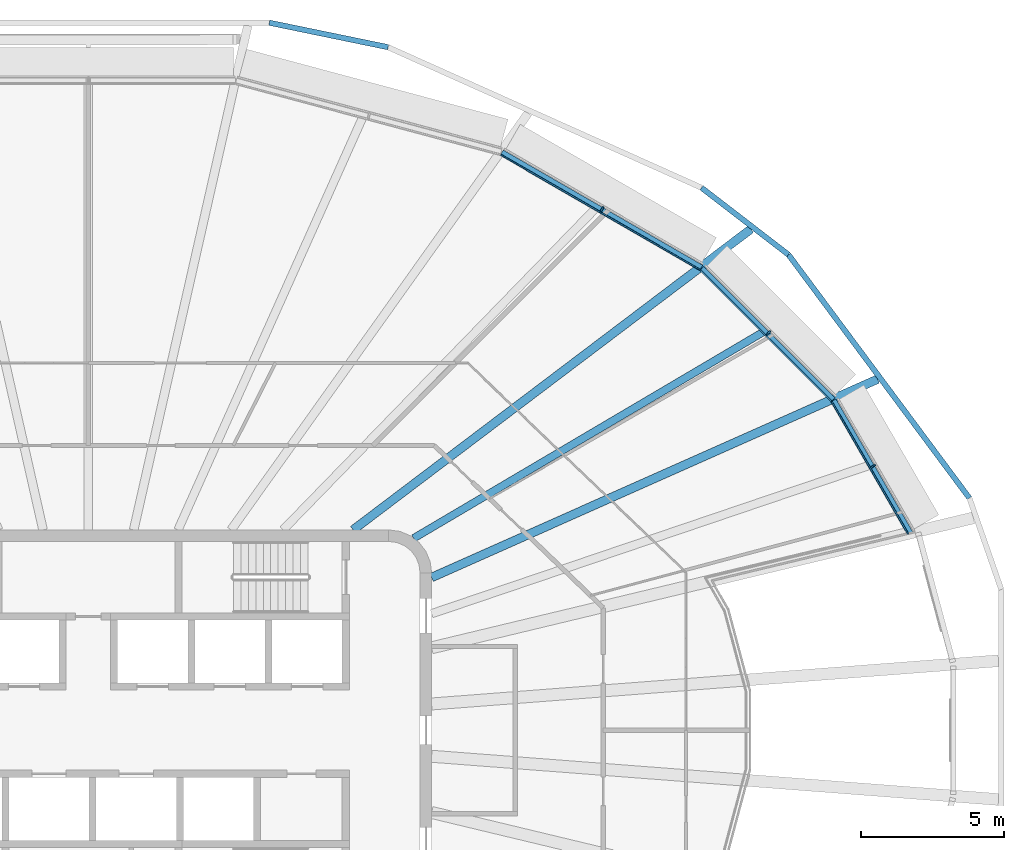
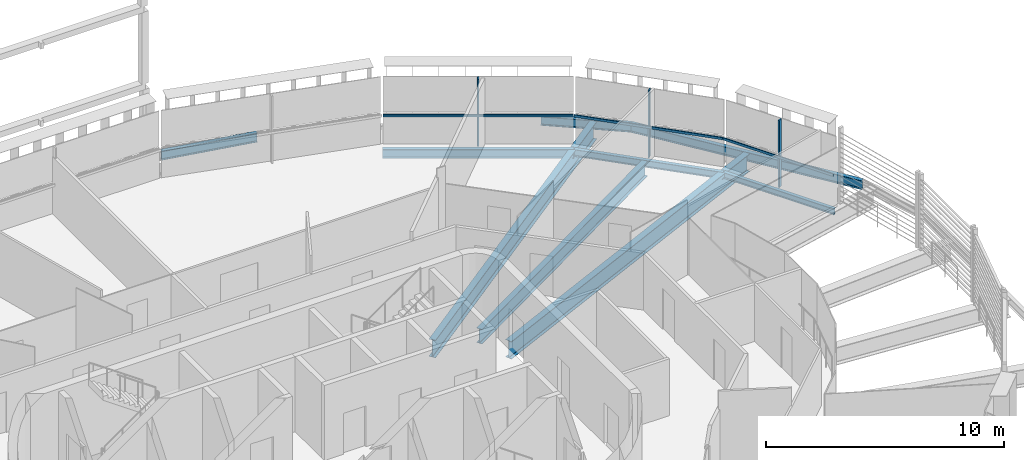
# One storey, part 8 of 21: 9 beams, 6 members, 3 elements without a shape of their own.
"""IFC4 building model written with IfcOpenShell, lengths in metres."""

from ifc_helpers import new_model, si_unit, direction, frame, origin, origin_2d, place, context, subcontext, project, spatial, rectangle, i_section, extrude, material, layer, layer_set, material_profile, profile_set, type_object, element, aggregate, save


model = new_model("IFC4")

# Units and contexts
model_context = context("Model", 3, precision=1e-05, world=origin(), true_north=direction((0.0, 1.0)))
body_context = subcontext(model_context, "Body", "Model", "MODEL_VIEW")
ifc_project = project(units=[si_unit("LENGTHUNIT", "METRE"), si_unit("AREAUNIT", "SQUARE_METRE"), si_unit("VOLUMEUNIT", "CUBIC_METRE"), si_unit("PLANEANGLEUNIT", "RADIAN"), si_unit("MASSUNIT", "GRAM", prefix="KILO")], contexts=[model_context])

# Site, building, storey
site_placement = place(None, origin())
site = spatial("IfcSite", under=ifc_project, at=site_placement, CompositionType="ELEMENT")
building_placement = place(site_placement, origin())
building = spatial("IfcBuilding", under=site, at=building_placement, Name="Sahrelin Media Tower", CompositionType="ELEMENT")
storey_placement = place(building_placement, frame((0.0, 0.0, 263.0)))
storey = spatial("IfcBuildingStorey", under=building, at=storey_placement, Name="L57", CompositionType="ELEMENT", Elevation=263.0)

# Beams
ifc_material_1 = material(Name="Steel S355", Category="steel")
ifc_material_profile_1 = material_profile(ifc_material_1, i_section(OverallWidth=0.1650390625, OverallDepth=0.303466796875, WebThickness=0.006103515625, FlangeThickness=0.01025390625, FilletRadius=0.0087890625, at=origin_2d()), Name="UB 305x165x40")
ifc_profile_set_1 = profile_set([ifc_material_profile_1], Name="Steel S355")
beam_type_1 = type_object("IfcBeamType", Name="Edge beam EB2", PredefinedType="BEAM", material=ifc_profile_set_1)
beam_1_placement = place(storey_placement, frame((26.064697265625, 11.53662109375, -0.3017578125), z_axis=(0.499996591357, -0.866027371756, 0.0), x_axis=(0.866027371756, 0.499996591357, 0.0)))
element("IfcBeam", 1, at=beam_1_placement, inside=storey, type_object=beam_type_1, Name="Edge beam L57-20", PredefinedType="BEAM", context=body_context, shape_type="SweptSolid", body=[
    extrude(i_section(OverallWidth=0.1650390625, OverallDepth=0.303466796875, WebThickness=0.006103515625, FlangeThickness=0.01025390625, FilletRadius=0.0087890625, at=origin_2d()), origin(), (0.0, 0.0, 1.0), 5.37060546875),
])
ifc_material_profile_2 = material_profile(ifc_material_1, i_section(OverallWidth=0.17138671875, OverallDepth=0.35498046875, WebThickness=0.00732421875, FlangeThickness=0.011474609375, FilletRadius=0.01025390625, at=origin_2d()), Name="UB 356x171x51")
ifc_profile_set_2 = profile_set([ifc_material_profile_2], Name="Steel S355")
beam_type_2 = type_object("IfcBeamType", Name="Edge beam EB3", PredefinedType="BEAM", material=ifc_profile_set_2)
beam_2_placement = place(storey_placement, frame((21.451904296875, 16.154541015625, -0.327392578125), z_axis=(0.707106781187, -0.707106781187, 0.0), x_axis=(0.707106781187, 0.707106781187, 0.0)))
element("IfcBeam", 2, at=beam_2_placement, inside=storey, type_object=beam_type_2, Name="Edge beam L57-19", PredefinedType="BEAM", context=body_context, shape_type="SweptSolid", body=[
    extrude(i_section(OverallWidth=0.17138671875, OverallDepth=0.35498046875, WebThickness=0.00732421875, FlangeThickness=0.011474609375, FilletRadius=0.01025390625, at=origin_2d()), origin(), (0.0, 0.0, 1.0), 6.49853515625),
])
ifc_material_profile_3 = material_profile(ifc_material_1, i_section(OverallWidth=0.1904296875, OverallDepth=0.45703125, WebThickness=0.009033203125, FlangeThickness=0.014404296875, FilletRadius=0.01025390625, at=origin_2d()), Name="UB 457x191x74")
ifc_profile_set_3 = profile_set([ifc_material_profile_3], Name="Steel S355")
beam_type_3 = type_object("IfcBeamType", Name="Edge beam EB5", PredefinedType="BEAM", material=ifc_profile_set_3)
beam_3_placement = place(storey_placement, frame((14.4560546875, 20.197998046875, -0.37841796875), z_axis=(0.866021478471, -0.500006798781, 0.0), x_axis=(0.500006798781, 0.866021478471, 0.0)))
element("IfcBeam", 3, at=beam_3_placement, inside=storey, type_object=beam_type_3, Name="Edge beam L57-18", PredefinedType="BEAM", context=body_context, shape_type="SweptSolid", body=[
    extrude(i_section(OverallWidth=0.1904296875, OverallDepth=0.45703125, WebThickness=0.009033203125, FlangeThickness=0.014404296875, FilletRadius=0.01025390625, at=origin_2d()), origin(), (0.0, 0.0, 1.0), 8.0517578125),
])

# Curtain wall, member
ifc_material_2 = material(Name="Champagne anodised aluminium 6063-T6", Category="aluminium")
ifc_layer = layer(ifc_material_2, 0.14990234375)
ifc_layer_set = layer_set([ifc_layer], Name="Tower ribbon curtain wall")
curtain_wall_type = type_object("IfcCurtainWallType", Name="Tower ribbon curtain wall", PredefinedType="NOTDEFINED", material=ifc_layer_set)
curtain_wall_1_placement = place(storey_placement, frame((27.537109375, 9.2861328125, 0.0), z_axis=(0.0, 0.0, 1.0), x_axis=(1.0, 0.0, 0.0)))
curtain_wall_1 = element("IfcCurtainWall", 4, at=curtain_wall_1_placement, inside=storey, type_object=curtain_wall_type, Name="L57:CW:L57-02", PredefinedType="NOTDEFINED")
ifc_material_profile_4 = material_profile(ifc_material_2, rectangle(XDim=0.06005859375, YDim=0.199951171875, at=origin_2d()), Name="Mullion 60x200")
ifc_profile_set_4 = profile_set([ifc_material_profile_4], Name="Champagne anodised aluminium 6063-T6")
member_type_1 = type_object("IfcMemberType", Name="Mullion 60x200 CW1C", PredefinedType="MULLION", material=ifc_profile_set_4)
member_1_placement = place(storey_placement, frame((27.43310546875, 9.22607421875, 0.0), z_axis=(0.0, 0.0, 1.0), x_axis=(-0.500001511499, 0.866024531118, 0.0)))
member_1 = element("IfcMember", 5, at=member_1_placement, type_object=member_type_1, Name="L57:CWM:L57-02", PredefinedType="MULLION", context=body_context, shape_type="SweptSolid", body=[
    extrude(rectangle(XDim=0.06005859375, YDim=0.199951171875, at=origin_2d()), origin(), (0.0, 0.0, 1.0), 3.448486328125),
])

curtain_wall_2_placement = place(storey_placement, frame((23.85546875, 13.962890625, 0.0), z_axis=(0.0, 0.0, 1.0), x_axis=(1.0, 0.0, 0.0)))
curtain_wall_2 = element("IfcCurtainWall", 6, at=curtain_wall_2_placement, inside=storey, type_object=curtain_wall_type, Name="L57:CW:L57-03", PredefinedType="NOTDEFINED")
member_2_placement = place(storey_placement, frame((23.770751953125, 13.878173828125, 0.0), z_axis=(0.0, 0.0, 1.0), x_axis=(-0.707106781187, 0.707106781187, 0.0)))
member_2 = element("IfcMember", 7, at=member_2_placement, type_object=member_type_1, Name="L57:CWM:L57-03", PredefinedType="MULLION", context=body_context, shape_type="SweptSolid", body=[
    extrude(rectangle(XDim=0.06005859375, YDim=0.199951171875, at=origin_2d()), origin(), (0.0, 0.0, 1.0), 3.448486328125),
])

curtain_wall_3_placement = place(storey_placement, frame((18.017578125, 18.31494140625, 0.0), z_axis=(0.0, 0.0, 1.0), x_axis=(1.0, 0.0, 0.0)))
curtain_wall_3 = element("IfcCurtainWall", 8, at=curtain_wall_3_placement, inside=storey, type_object=curtain_wall_type, Name="L57:CW:L57-04", PredefinedType="NOTDEFINED")
member_3_placement = place(storey_placement, frame((17.95751953125, 18.2109375, 0.0), z_axis=(0.0, 0.0, 1.0), x_axis=(-0.866028894422, 0.49999395399, 0.0)))
member_3 = element("IfcMember", 9, at=member_3_placement, type_object=member_type_1, Name="L57:CWM:L57-04", PredefinedType="MULLION", context=body_context, shape_type="SweptSolid", body=[
    extrude(rectangle(XDim=0.06005859375, YDim=0.199951171875, at=origin_2d()), origin(), (0.0, 0.0, 1.0), 3.448486328125),
])

# Beams
ifc_material_profile_5 = material_profile(ifc_material_1, i_section(OverallWidth=0.30322265625, OverallDepth=0.903076171875, WebThickness=0.01513671875, FlangeThickness=0.020263671875, FilletRadius=0.01904296875, at=origin_2d()), Name="UB 914x305x201")
ifc_profile_set_5 = profile_set([ifc_material_profile_5], Name="Steel S355")
beam_type_4 = type_object("IfcBeamType", Name="Radial primary beam PB11", PredefinedType="BEAM", material=ifc_profile_set_5)
beam_4_placement = place(storey_placement, frame((12.0, 5.33642578125, -0.6015625), z_axis=(0.913726569334, 0.406329615575, 0.0), x_axis=(-0.406329615575, 0.913726569334, 0.0)))
element("IfcBeam", 10, at=beam_4_placement, inside=storey, type_object=beam_type_4, Name="Radial beam L57-03", PredefinedType="BEAM", context=body_context, shape_type="SweptSolid", body=[
    extrude(i_section(OverallWidth=0.30322265625, OverallDepth=0.903076171875, WebThickness=0.01513671875, FlangeThickness=0.020263671875, FilletRadius=0.01904296875, at=origin_2d()), origin(), (0.0, 0.0, 1.0), 17.06396484375),
])
beam_5_placement = place(storey_placement, frame((9.256103515625, 7.0, -0.6015625), z_axis=(0.797600330432, 0.603186300321, 0.0), x_axis=(-0.603186300321, 0.797600330432, 0.0)))
element("IfcBeam", 11, at=beam_5_placement, inside=storey, type_object=beam_type_4, Name="Radial beam L57-04", PredefinedType="BEAM", context=body_context, shape_type="SweptSolid", body=[
    extrude(i_section(OverallWidth=0.30322265625, OverallDepth=0.903076171875, WebThickness=0.01513671875, FlangeThickness=0.020263671875, FilletRadius=0.01904296875, at=origin_2d()), origin(), (0.0, 0.0, 1.0), 17.431396484375),
])
ifc_material_profile_6 = material_profile(ifc_material_1, i_section(OverallWidth=0.26513671875, OverallDepth=0.75390625, WebThickness=0.0126953125, FlangeThickness=0.017578125, FilletRadius=0.0166015625, at=origin_2d()), Name="UB 762x267x147")
ifc_profile_set_6 = profile_set([ifc_material_profile_6], Name="Steel S355")
beam_type_5 = type_object("IfcBeamType", Name="Radial secondary beam SB9", PredefinedType="BEAM", material=ifc_profile_set_6)
beam_6_placement = place(storey_placement, frame((11.369873046875, 6.70703125, -0.527099609375), z_axis=(0.861299412095, 0.508097749183, 0.0), x_axis=(-0.508097749183, 0.861299412095, 0.0)))
element("IfcBeam", 12, at=beam_6_placement, inside=storey, type_object=beam_type_5, Name="Secondary beam L57-02", PredefinedType="BEAM", context=body_context, shape_type="SweptSolid", body=[
    extrude(i_section(OverallWidth=0.26513671875, OverallDepth=0.75390625, WebThickness=0.0126953125, FlangeThickness=0.017578125, FilletRadius=0.0166015625, at=origin_2d()), origin(), (0.0, 0.0, 1.0), 14.1728515625),
])
ifc_material_profile_7 = material_profile(ifc_material_1, i_section(OverallWidth=0.1904296875, OverallDepth=0.45703125, WebThickness=0.009033203125, FlangeThickness=0.014404296875, FilletRadius=0.01025390625, at=origin_2d()), Name="UB 457x191x74")
ifc_profile_set_7 = profile_set([ifc_material_profile_7], Name="Steel S355")
beam_type_6 = type_object("IfcBeamType", Name="Tie chord TC5", PredefinedType="BEAM", material=ifc_profile_set_7)
beam_7_placement = place(storey_placement, frame((30.802734375, 8.10986328125, -0.37841796875), z_axis=(-0.596554130506, 0.802572843657, 0.0), x_axis=(-0.802572843657, -0.596554130506, 0.0)))
element("IfcBeam", 13, at=beam_7_placement, inside=storey, type_object=beam_type_6, Name="Tie chord L57-02", PredefinedType="BEAM", context=body_context, shape_type="SweptSolid", body=[
    extrude(i_section(OverallWidth=0.1904296875, OverallDepth=0.45703125, WebThickness=0.009033203125, FlangeThickness=0.014404296875, FilletRadius=0.01025390625, at=origin_2d()), origin(), (0.0, 0.0, 1.0), 10.60498046875),
])
beam_8_placement = place(storey_placement, frame((24.476318359375, 16.62109375, -0.37841796875), z_axis=(-0.792467790833, 0.6099137648, 0.0), x_axis=(-0.6099137648, -0.792467790833, 0.0)))
element("IfcBeam", 14, at=beam_8_placement, inside=storey, type_object=beam_type_6, Name="Tie chord L57-03", PredefinedType="BEAM", context=body_context, shape_type="SweptSolid", body=[
    extrude(i_section(OverallWidth=0.1904296875, OverallDepth=0.45703125, WebThickness=0.009033203125, FlangeThickness=0.014404296875, FilletRadius=0.01025390625, at=origin_2d()), origin(), (0.0, 0.0, 1.0), 3.83544921875),
])
beam_9_placement = place(storey_placement, frame((10.478759765625, 23.87451171875, -0.37841796875), z_axis=(-0.979393768134, 0.201960013221, 0.0), x_axis=(-0.201960013221, -0.979393768134, 0.0)))
element("IfcBeam", 15, at=beam_9_placement, inside=storey, type_object=beam_type_6, Name="Tie chord L57-05", PredefinedType="BEAM", context=body_context, shape_type="SweptSolid", body=[
    extrude(i_section(OverallWidth=0.1904296875, OverallDepth=0.45703125, WebThickness=0.009033203125, FlangeThickness=0.014404296875, FilletRadius=0.01025390625, at=origin_2d()), origin(), (0.0, 0.0, 1.0), 4.239501953125),
])

# Member
ifc_material_profile_8 = material_profile(ifc_material_2, rectangle(XDim=0.050048828125, YDim=0.1201171875, at=origin_2d()), Name="Transom 50x120")
ifc_profile_set_8 = profile_set([ifc_material_profile_8], Name="Champagne anodised aluminium 6063-T6")
member_type_2 = type_object("IfcMemberType", Name="Transom 50x120 CW1C", PredefinedType="USERDEFINED", material=ifc_profile_set_8)
member_4_placement = place(storey_placement, frame((28.65966796875, 6.851806640625, 1.60009765625), z_axis=(-0.500004822225, 0.866022619654, 0.0), x_axis=(-0.866022619654, -0.500004822225, 0.0)))
member_4 = element("IfcMember", 16, at=member_4_placement, type_object=member_type_2, Name="L57:CWT:L57-02", ObjectType="TRANSOM", PredefinedType="USERDEFINED", context=body_context, shape_type="SweptSolid", body=[
    extrude(rectangle(XDim=0.050048828125, YDim=0.1201171875, at=origin_2d()), origin(), (0.0, 0.0, 1.0), 5.3388671875),
])

aggregate(curtain_wall_1, [member_1, member_4])

member_5_placement = place(storey_placement, frame((25.96875, 11.50341796875, 1.60009765625), z_axis=(-0.707106781187, 0.707106781187, 0.0), x_axis=(-0.707106781187, -0.707106781187, 0.0)))
member_5 = element("IfcMember", 17, at=member_5_placement, type_object=member_type_2, Name="L57:CWT:L57-03", ObjectType="TRANSOM", PredefinedType="USERDEFINED", context=body_context, shape_type="SweptSolid", body=[
    extrude(rectangle(XDim=0.050048828125, YDim=0.1201171875, at=origin_2d()), origin(), (0.0, 0.0, 1.0), 6.46728515625),
])

aggregate(curtain_wall_2, [member_2, member_5])

member_6_placement = place(storey_placement, frame((21.367919921875, 16.09765625, 1.60009765625), z_axis=(-0.866020331166, 0.500008785931, 0.0), x_axis=(-0.500008785931, -0.866020331166, 0.0)))
member_6 = element("IfcMember", 18, at=member_6_placement, type_object=member_type_2, Name="L57:CWT:L57-04", ObjectType="TRANSOM", PredefinedType="USERDEFINED", context=body_context, shape_type="SweptSolid", body=[
    extrude(rectangle(XDim=0.050048828125, YDim=0.1201171875, at=origin_2d()), origin(), (0.0, 0.0, 1.0), 8.020263671875),
])

aggregate(curtain_wall_3, [member_3, member_6])

save(model, "model.ifc")
